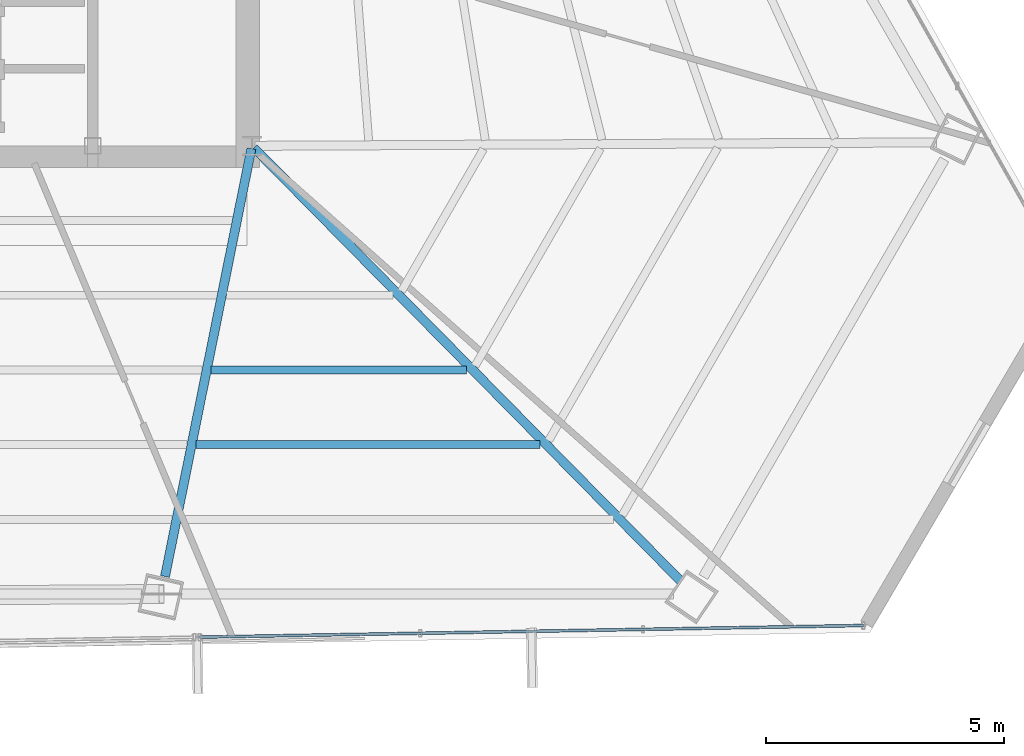
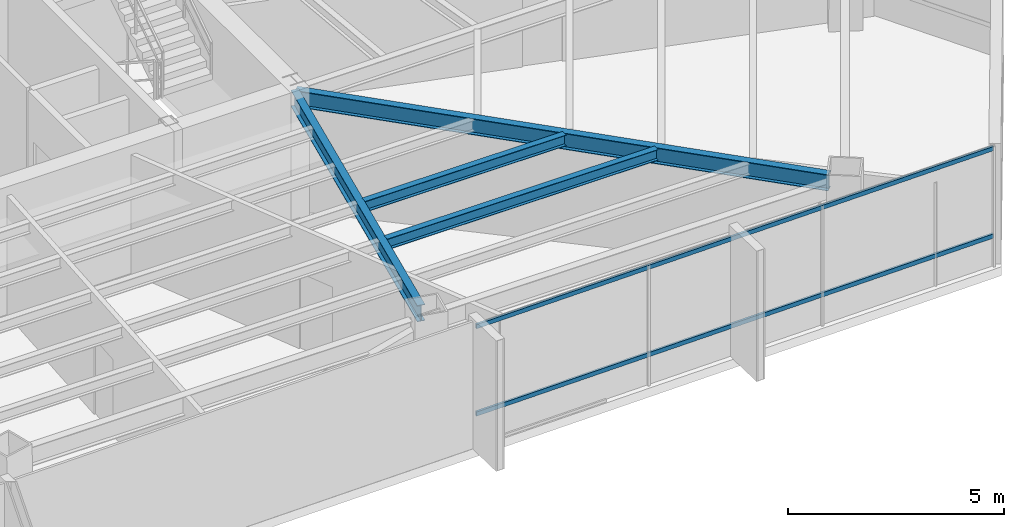
# One storey, part 19 of 42: 4 beams, 2 members, 1 element without a shape of its own.
"""IFC4 building model written with IfcOpenShell, lengths in metres."""

from ifc_helpers import new_model, si_unit, direction, frame, origin, origin_2d, place, context, subcontext, project, spatial, hollow_rectangle, i_section, extrude, source, transform, mapped, material, material_profile, profile_set, type_object, type_shapes, element, aggregate, save


model = new_model("IFC4")

# Units and contexts
model_context = context("Model", 3, precision=1e-05, world=origin(), true_north=direction((0.0, 1.0)))
body_context = subcontext(model_context, "Body", "Model", "MODEL_VIEW")
ifc_project = project(units=[si_unit("LENGTHUNIT", "METRE"), si_unit("AREAUNIT", "SQUARE_METRE"), si_unit("VOLUMEUNIT", "CUBIC_METRE"), si_unit("PLANEANGLEUNIT", "RADIAN"), si_unit("MASSUNIT", "GRAM", prefix="KILO")], contexts=[model_context])

# Site, building, storey
site_placement = place(None, origin())
site = spatial("IfcSite", under=ifc_project, at=site_placement, CompositionType="ELEMENT")
building_placement = place(site_placement, origin())
building = spatial("IfcBuilding", under=site, at=building_placement, Name="Caelisora Broadcast Tower", CompositionType="ELEMENT")
storey_placement = place(building_placement, frame((0.0, 0.0, 184.050048828125)))
storey = spatial("IfcBuildingStorey", under=building, at=storey_placement, Name="L48", CompositionType="ELEMENT", Elevation=184.050048828125)

# Beams
ifc_material_1 = material(Name="Steel Grade 350 (AS/NZS 3679.1)", Category="steel")
ifc_material_profile_1 = material_profile(ifc_material_1, i_section(OverallWidth=0.19091796875, OverallDepth=0.46044921875, WebThickness=0.010009765625, FlangeThickness=0.01611328125, at=origin_2d()), Name="Steel Grade 350 (AS/NZS 3679.1)")
ifc_profile_set_1 = profile_set([ifc_material_profile_1], Name="Steel Grade 350 (AS/NZS 3679.1)")
beam_type_1 = type_object("IfcBeamType", Name="PG06", PredefinedType="BEAM", material=ifc_profile_set_1)
shared_shape_1 = source(origin(), body_context, "Body", "SweptSolid", [
    extrude(i_section(OverallWidth=0.19091796875, OverallDepth=0.46044921875, WebThickness=0.010009765625, FlangeThickness=0.01611328125, at=origin_2d()), origin(), (0.0, 0.0, 1.0), 12.7998046875),
])
beam_1_placement = place(storey_placement, frame((45.5419921875, 17.357421875, 3.169677734375), z_axis=(0.701784367452, -0.71238943114, 0.0), x_axis=(0.71238943114, 0.701784367452, 0.0)))
element("IfcBeam", 1, at=beam_1_placement, inside=storey, type_object=beam_type_1, Name="L48 beam PG06", PredefinedType="BEAM", context=body_context, shape_type="MappedRepresentation", body=[
    mapped(shared_shape_1, transform((0.0, 0.0, 0.0), scale=1.0)),
])
shared_shape_2 = source(origin(), body_context, "Body", "SweptSolid", [
    extrude(i_section(OverallWidth=0.19091796875, OverallDepth=0.46044921875, WebThickness=0.010009765625, FlangeThickness=0.01611328125, at=origin_2d()), origin(), (0.0, 0.0, 1.0), 9.18310546875),
])
type_shapes(beam_type_1, [shared_shape_1, shared_shape_2])
beam_2_placement = place(storey_placement, frame((45.488037109375, 17.34130859375, 3.169677734375), z_axis=(-0.197905242383, -0.980221156187, 0.0), x_axis=(0.980221156187, -0.197905242383, 0.0)))
element("IfcBeam", 2, at=beam_2_placement, inside=storey, type_object=beam_type_1, Name="L48 beam PG06", PredefinedType="BEAM", context=body_context, shape_type="MappedRepresentation", body=[
    mapped(shared_shape_2, transform((0.0, 0.0, 0.0), scale=1.0)),
])
ifc_material_profile_2 = material_profile(ifc_material_1, i_section(OverallWidth=0.166015625, OverallDepth=0.30712890625, WebThickness=0.006591796875, FlangeThickness=0.01171875, at=origin_2d()), Name="Steel Grade 350 (AS/NZS 3679.1)")
ifc_profile_set_2 = profile_set([ifc_material_profile_2], Name="Steel Grade 350 (AS/NZS 3679.1)")
beam_type_2 = type_object("IfcBeamType", Name="SB03", PredefinedType="JOIST", material=ifc_profile_set_2)
shared_shape_3 = source(origin(), body_context, "Body", "SweptSolid", [
    extrude(i_section(OverallWidth=0.166015625, OverallDepth=0.30712890625, WebThickness=0.006591796875, FlangeThickness=0.01171875, at=origin_2d()), origin(), (0.0, 0.0, 1.0), 5.37060546875),
])
beam_3_placement = place(storey_placement, frame((44.642578125, 12.685546875, 3.246337890625), z_axis=(1.0, 0.0, 0.0), x_axis=(0.0, 1.0, 0.0)))
element("IfcBeam", 3, at=beam_3_placement, inside=storey, type_object=beam_type_2, Name="L48 beam SB03", PredefinedType="JOIST", context=body_context, shape_type="MappedRepresentation", body=[
    mapped(shared_shape_3, transform((0.0, 0.0, 0.0), scale=1.0)),
])
shared_shape_4 = source(origin(), body_context, "Body", "SweptSolid", [
    extrude(i_section(OverallWidth=0.166015625, OverallDepth=0.30712890625, WebThickness=0.006591796875, FlangeThickness=0.01171875, at=origin_2d()), origin(), (0.0, 0.0, 1.0), 7.236083984375),
])
type_shapes(beam_type_2, [shared_shape_3, shared_shape_4])
beam_4_placement = place(storey_placement, frame((44.3251953125, 11.114013671875, 3.246337890625), z_axis=(1.0, 0.0, 0.0), x_axis=(0.0, 1.0, 0.0)))
element("IfcBeam", 4, at=beam_4_placement, inside=storey, type_object=beam_type_2, Name="L48 beam SB03", PredefinedType="JOIST", context=body_context, shape_type="MappedRepresentation", body=[
    mapped(shared_shape_4, transform((0.0, 0.0, 0.0), scale=1.0)),
])

# Curtain wall, members
ifc_material_2 = material(Name="Unitised Aluminium and Low-E Glass Curtain Wall", Category="glass")
curtain_wall_type = type_object("IfcCurtainWallType", Name="CW-Z4", PredefinedType="NOTDEFINED", material=ifc_material_2)
curtain_wall_placement = place(storey_placement, origin())
curtain_wall = element("IfcCurtainWall", 5, at=curtain_wall_placement, inside=storey, type_object=curtain_wall_type, Name="L48 curtain wall CW-Z4", PredefinedType="NOTDEFINED")
ifc_material_3 = material(Name="Aluminium 6063-T6 Anodised Terracotta Bronze", Category="aluminium")
ifc_material_profile_3 = material_profile(ifc_material_3, hollow_rectangle(XDim=0.06005859375, YDim=0.1201171875, WallThickness=0.0029296875, at=origin_2d()), Name="Aluminium 6063-T6 Anodised Terracotta Bronze")
ifc_profile_set_3 = profile_set([ifc_material_profile_3], Name="Aluminium 6063-T6 Anodised Terracotta Bronze")
member_type = type_object("IfcMemberType", Name="CWT-03", PredefinedType="USERDEFINED", material=ifc_profile_set_3)
shared_shape_5 = source(origin(), body_context, "Body", "SweptSolid", [
    extrude(hollow_rectangle(XDim=0.06005859375, YDim=0.1201171875, WallThickness=0.0029296875, at=origin_2d()), origin(), (0.0, 0.0, 1.0), 13.966552734375),
])
type_shapes(member_type, [shared_shape_5])
member_1_placement = place(storey_placement, frame((58.364013671875, 7.30908203125, 0.849853515625), z_axis=(-0.999846287198, -0.017532882724, 0.0), x_axis=(0.017532882724, -0.999846287198, 0.0)))
member_1 = element("IfcMember", 6, at=member_1_placement, type_object=member_type, Name="L48-CW-B05 transom #1", ObjectType="TRANSOM", PredefinedType="USERDEFINED", context=body_context, shape_type="MappedRepresentation", body=[
    mapped(shared_shape_5, transform((0.0, 0.0, 0.0), scale=1.0)),
])
member_2_placement = place(storey_placement, frame((58.364013671875, 7.30908203125, 3.320068359375), z_axis=(-0.999846287198, -0.017532882724, 0.0), x_axis=(0.017532882724, -0.999846287198, 0.0)))
member_2 = element("IfcMember", 7, at=member_2_placement, type_object=member_type, Name="L48-CW-B05 transom #2", ObjectType="TRANSOM", PredefinedType="USERDEFINED", context=body_context, shape_type="MappedRepresentation", body=[
    mapped(shared_shape_5, transform((0.0, 0.0, 0.0), scale=1.0)),
])
aggregate(curtain_wall, [member_1, member_2])

save(model, "model.ifc")
